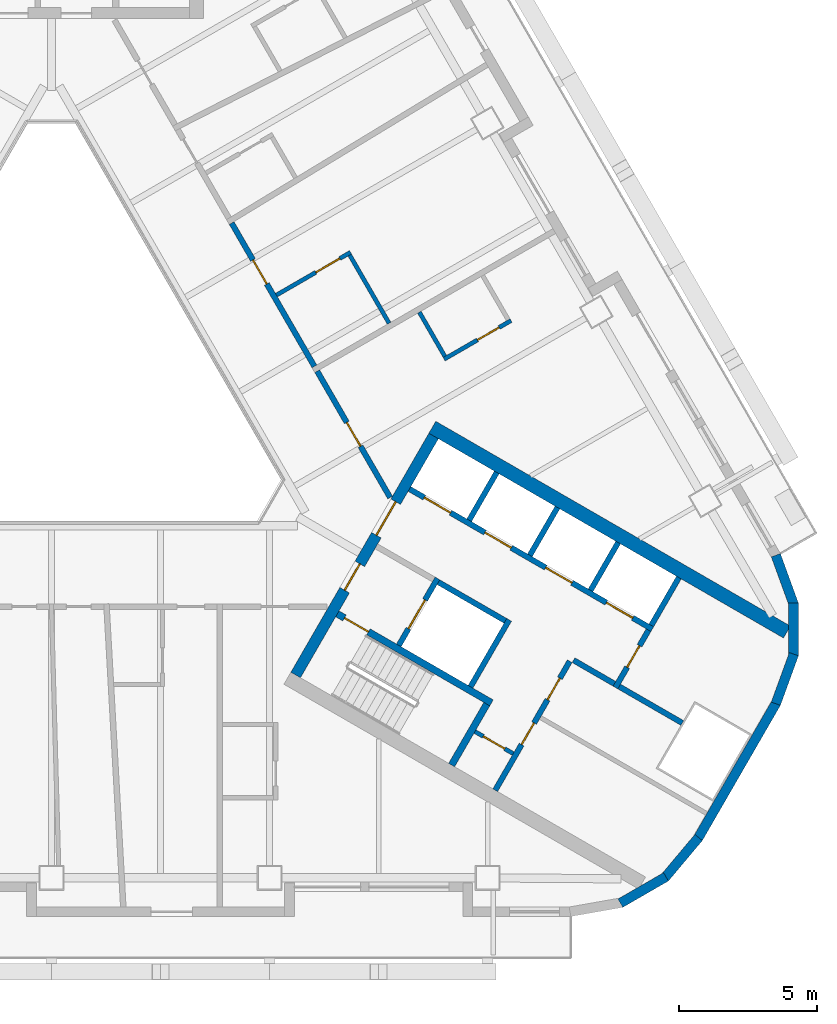
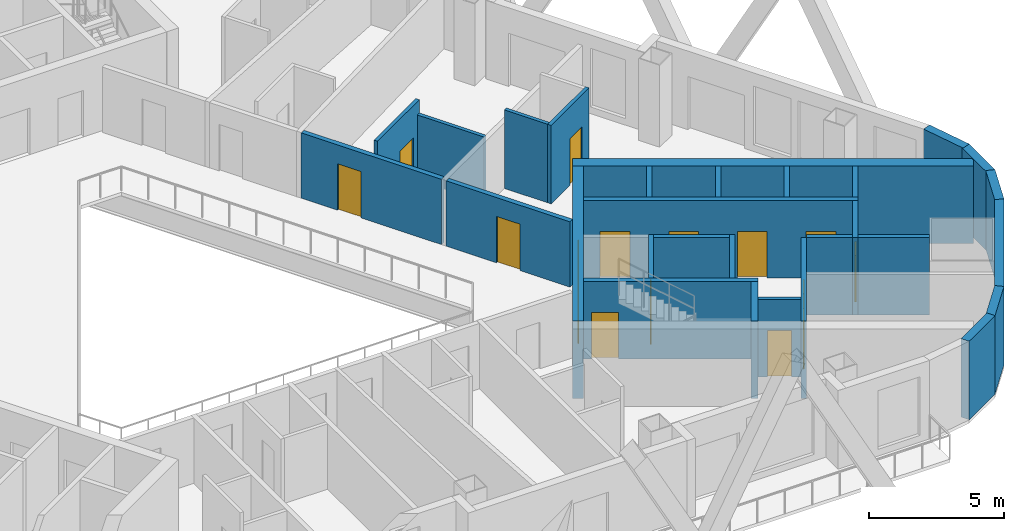
# One storey, part 5 of 14: 29 walls, 16 doors, 16 openings.
"""IFC4 building model written with IfcOpenShell, lengths in metres."""

from ifc_helpers import new_model, si_unit, direction, frame, frame_2d, origin, place, context, subcontext, project, spatial, rectangle, extrude, material, layer, layer_set, type_object, element, fill, save


model = new_model("IFC4")

# Units and contexts
model_context = context("Model", 3, precision=1e-05, world=origin(), true_north=direction((0.0, 1.0)))
body_context = subcontext(model_context, "Body", "Model", "MODEL_VIEW")
ifc_project = project(units=[si_unit("LENGTHUNIT", "METRE"), si_unit("AREAUNIT", "SQUARE_METRE"), si_unit("VOLUMEUNIT", "CUBIC_METRE"), si_unit("PLANEANGLEUNIT", "RADIAN"), si_unit("MASSUNIT", "GRAM", prefix="KILO")], contexts=[model_context])

# Site, building, storey
site_placement = place(None, origin())
site = spatial("IfcSite", under=ifc_project, at=site_placement, CompositionType="ELEMENT")
building_placement = place(site_placement, origin())
building = spatial("IfcBuilding", under=site, at=building_placement, Name="Apuvela Tower Hotel", CompositionType="ELEMENT")
storey_placement = place(building_placement, frame((0.0, 0.0, 90.89990234375)))
storey = spatial("IfcBuildingStorey", under=building, at=storey_placement, Name="L20", CompositionType="ELEMENT", Elevation=90.89990234375)

# Wall, openings, doors
ifc_material_1 = material(Name="Concrete C50/60", Category="concrete")
ifc_layer_1 = layer(ifc_material_1, 0.39990234375)
ifc_layer_set_1 = layer_set([ifc_layer_1], Name="COR-WALL-CORE-400")
wall_type_1 = type_object("IfcWallType", Name="COR-WALL-CORE-400", PredefinedType="SHEAR", material=ifc_layer_set_1)
wall_1_placement = place(storey_placement, frame((8.844970703125, -10.880126953125, 0.0), z_axis=(0.0, 0.0, 1.0), x_axis=(0.500004234368, 0.866022959057, 0.0)))
wall_1 = element("IfcWall", 1, at=wall_1_placement, inside=storey, type_object=wall_type_1, Name="Core wall SE", PredefinedType="SHEAR", context=body_context, shape_type="SweptSolid", body=[
    extrude(rectangle(XDim=10.0, YDim=0.39990234375, at=frame_2d((5.0, 0.0))), origin(), (0.0, 0.0, 1.0), 3.5),
])
opening_1_placement = place(wall_1_placement, frame((3.550048828125, 0.0, 0.0)))
opening_1 = element("IfcOpeningElement", 2, at=opening_1_placement, cuts=wall_1, Name="Opening E-FD", PredefinedType="OPENING", context=body_context, shape_type="SweptSolid", body=[
    extrude(rectangle(XDim=1.10009765625, YDim=2.10009765625, at=frame_2d((0.550048828125, 1.050048828125))), frame((0.0, 0.2099609375, 0.0), z_axis=(0.0, -1.0, 0.0), x_axis=(1.0, 0.0, 0.0)), (0.0, 0.0, 1.0), 0.419921875),
])
opening_2_placement = place(wall_1_placement, frame((5.85009765625, 0.0, 0.0)))
opening_2 = element("IfcOpeningElement", 3, at=opening_2_placement, cuts=wall_1, Name="Opening E-GD", PredefinedType="OPENING", context=body_context, shape_type="SweptSolid", body=[
    extrude(rectangle(XDim=1.39990234375, YDim=2.10009765625, at=frame_2d((0.699951171875, 1.050048828125))), frame((0.0, 0.2099609375, 0.0), z_axis=(0.0, -1.0, 0.0), x_axis=(1.0, 0.0, 0.0)), (0.0, 0.0, 1.0), 0.419921875),
])
ifc_material_2 = material(Name="Steel fire door, powder coated", Category="steel")
door_type_1 = type_object("IfcDoorType", Name="COR-FD-1100", OperationType="NOTDEFINED", PredefinedType="DOOR", material=ifc_material_2)
door_1_placement = place(opening_1_placement, frame((1.10009765625, 0.0, 0.0), z_axis=(0.0, 0.0, 1.0), x_axis=(-1.0, 0.0, 0.0)))
door_1 = element("IfcDoor", 4, at=door_1_placement, inside=storey, type_object=door_type_1, Name="Firefighting lobby door E-FD", OperationType="SINGLE_SWING_LEFT", OverallHeight=2.10009765625, OverallWidth=1.10009765625, PredefinedType="DOOR", context=body_context, shape_type="SweptSolid", body=[
    extrude(rectangle(XDim=1.10009765625, YDim=2.10009765625, at=frame_2d((0.550048828125, 1.050048828125))), frame((0.0, 0.02490234375, 0.0), z_axis=(0.0, -1.0, 0.0), x_axis=(1.0, 0.0, 0.0)), (0.0, 0.0, 1.0), 0.050048828125),
])
fill(opening_1, door_1)
ifc_material_3 = material(Name="Glazed steel fire door", Category="steel")
door_type_2 = type_object("IfcDoorType", Name="COR-GD-1400", OperationType="DOUBLE_DOOR_SINGLE_SWING", PredefinedType="DOOR", material=ifc_material_3)
door_2_placement = place(opening_2_placement, frame((1.39990234375, 0.0, 0.0), z_axis=(0.0, 0.0, 1.0), x_axis=(-1.0, 0.0, 0.0)))
door_2 = element("IfcDoor", 5, at=door_2_placement, inside=storey, type_object=door_type_2, Name="Lift lobby door E-GD", OperationType="DOUBLE_DOOR_SINGLE_SWING", OverallHeight=2.10009765625, OverallWidth=1.39990234375, PredefinedType="DOOR", context=body_context, shape_type="SweptSolid", body=[
    extrude(rectangle(XDim=1.39990234375, YDim=2.10009765625, at=frame_2d((0.699951171875, 1.050048828125))), frame((0.0, 0.02490234375, 0.0), z_axis=(0.0, -1.0, 0.0), x_axis=(1.0, 0.0, 0.0)), (0.0, 0.0, 1.0), 0.050048828125),
])
fill(opening_2, door_2)

# Wall
ifc_layer_2 = layer(ifc_material_1, 0.5)
ifc_layer_set_2 = layer_set([ifc_layer_2], Name="COR-WALL-CORE-500")
wall_type_2 = type_object("IfcWallType", Name="COR-WALL-CORE-500", PredefinedType="SHEAR", material=ifc_layer_set_2)
wall_2_placement = place(storey_placement, frame((13.796630859375, -1.9033203125, 0.0), z_axis=(0.0, 0.0, 1.0), x_axis=(0.866025009528, -0.500000682871, 0.0)))
element("IfcWall", 6, at=wall_2_placement, inside=storey, type_object=wall_type_2, Name="Core wall SE", PredefinedType="SHEAR", context=body_context, shape_type="SweptSolid", body=[
    extrude(rectangle(XDim=14.8369140625, YDim=0.5, at=frame_2d((7.41845703125, 0.0))), origin(), (0.0, 0.0, 1.0), 3.5),
])

# Wall, opening, door
ifc_material_4 = material(Name="Blockwork 150 mm plastered", Category="masonry")
ifc_layer_3 = layer(ifc_material_4, 0.14990234375)
ifc_layer_set_3 = layer_set([ifc_layer_3], Name="COR-WALL-PART-150")
wall_type_3 = type_object("IfcWallType", Name="COR-WALL-PART-150", PredefinedType="PARTITIONING", material=ifc_layer_set_3)
wall_3_placement = place(storey_placement, frame((15.341552734375, -12.927734375, 0.0), z_axis=(0.0, 0.0, 1.0), x_axis=(0.865989903783, -0.500061482766, 0.0)))
wall_3 = element("IfcWall", 7, at=wall_3_placement, inside=storey, type_object=wall_type_3, Name="Partition SE", PredefinedType="PARTITIONING", context=body_context, shape_type="SweptSolid", body=[
    extrude(rectangle(XDim=1.599853515625, YDim=0.14990234375, at=frame_2d((0.7998046875, 0.0))), origin(), (0.0, 0.0, 1.0), 3.5),
])
opening_3_placement = place(wall_3_placement, frame((0.35009765625, 0.0, 0.0)))
opening_3 = element("IfcOpeningElement", 8, at=opening_3_placement, cuts=wall_3, Name="Opening E-RD", PredefinedType="OPENING", context=body_context, shape_type="SweptSolid", body=[
    extrude(rectangle(XDim=0.89990234375, YDim=2.10009765625, at=frame_2d((0.449951171875, 1.050048828125))), frame((0.0, 0.0849609375, 0.0), z_axis=(0.0, -1.0, 0.0), x_axis=(1.0, 0.0, 0.0)), (0.0, 0.0, 1.0), 0.169921875),
])
ifc_material_5 = material(Name="Steel access door, powder coated", Category="steel")
door_type_3 = type_object("IfcDoorType", Name="COR-RD-900", OperationType="NOTDEFINED", PredefinedType="DOOR", material=ifc_material_5)
door_3_placement = place(opening_3_placement, frame((0.89990234375, 0.0, 0.0), z_axis=(0.0, 0.0, 1.0), x_axis=(-1.0, 0.0, 0.0)))
door_3 = element("IfcDoor", 9, at=door_3_placement, inside=storey, type_object=door_type_3, Name="Riser door E-RD", OperationType="SINGLE_SWING_LEFT", OverallHeight=2.10009765625, OverallWidth=0.89990234375, PredefinedType="DOOR", context=body_context, shape_type="SweptSolid", body=[
    extrude(rectangle(XDim=0.89990234375, YDim=2.10009765625, at=frame_2d((0.449951171875, 1.050048828125))), frame((0.0, 0.02490234375, 0.0), z_axis=(0.0, -1.0, 0.0), x_axis=(1.0, 0.0, 0.0)), (0.0, 0.0, 1.0), 0.050048828125),
])
fill(opening_3, door_3)

# Wall, openings, doors
ifc_material_6 = material(Name="Blockwork 200 mm plastered", Category="masonry")
ifc_layer_4 = layer(ifc_material_6, 0.199951171875)
ifc_layer_set_4 = layer_set([ifc_layer_4], Name="COR-WALL-PART-200")
wall_type_4 = type_object("IfcWallType", Name="COR-WALL-PART-200", PredefinedType="PARTITIONING", material=ifc_layer_set_4)
wall_4_placement = place(storey_placement, frame((16.076171875, -15.05517578125, 0.0), z_axis=(0.0, 0.0, 1.0), x_axis=(0.499995103361, 0.866028230842, 0.0)))
wall_4 = element("IfcWall", 10, at=wall_4_placement, inside=storey, type_object=wall_type_4, Name="Partition SE", PredefinedType="PARTITIONING", context=body_context, shape_type="SweptSolid", body=[
    extrude(rectangle(XDim=5.39990234375, YDim=0.199951171875, at=frame_2d((2.699951171875, 0.0))), origin(), (0.0, 0.0, 1.0), 3.5),
])
opening_4_placement = place(wall_4_placement, frame((1.91259765625, 0.0, 0.0)))
opening_4 = element("IfcOpeningElement", 11, at=opening_4_placement, cuts=wall_4, Name="Opening E-RS1", PredefinedType="OPENING", context=body_context, shape_type="SweptSolid", body=[
    extrude(rectangle(XDim=0.89990234375, YDim=2.10009765625, at=frame_2d((0.449951171875, 1.050048828125))), frame((0.0, 0.10986328125, 0.0), z_axis=(0.0, -1.0, 0.0), x_axis=(1.0, 0.0, 0.0)), (0.0, 0.0, 1.0), 0.219970703125),
])
opening_5_placement = place(wall_4_placement, frame((3.78759765625, 0.0, 0.0)))
opening_5 = element("IfcOpeningElement", 12, at=opening_5_placement, cuts=wall_4, Name="Opening E-RS2", PredefinedType="OPENING", context=body_context, shape_type="SweptSolid", body=[
    extrude(rectangle(XDim=0.89990234375, YDim=2.10009765625, at=frame_2d((0.449951171875, 1.050048828125))), frame((0.0, 0.10986328125, 0.0), z_axis=(0.0, -1.0, 0.0), x_axis=(1.0, 0.0, 0.0)), (0.0, 0.0, 1.0), 0.219970703125),
])
door_type_4 = type_object("IfcDoorType", Name="COR-DR-900", OperationType="NOTDEFINED", PredefinedType="DOOR", material=ifc_material_2)
door_4_placement = place(opening_4_placement, frame((0.89990234375, 0.0, 0.0), z_axis=(0.0, 0.0, 1.0), x_axis=(-1.0, 0.0, 0.0)))
door_4 = element("IfcDoor", 13, at=door_4_placement, inside=storey, type_object=door_type_4, Name="Store door E-RS1", OperationType="SINGLE_SWING_LEFT", OverallHeight=2.10009765625, OverallWidth=0.89990234375, PredefinedType="DOOR", context=body_context, shape_type="SweptSolid", body=[
    extrude(rectangle(XDim=0.89990234375, YDim=2.10009765625, at=frame_2d((0.449951171875, 1.050048828125))), frame((0.0, 0.02490234375, 0.0), z_axis=(0.0, -1.0, 0.0), x_axis=(1.0, 0.0, 0.0)), (0.0, 0.0, 1.0), 0.050048828125),
])
fill(opening_4, door_4)
door_5_placement = place(opening_5_placement, frame((0.89990234375, 0.0, 0.0), z_axis=(0.0, 0.0, 1.0), x_axis=(-1.0, 0.0, 0.0)))
door_5 = element("IfcDoor", 14, at=door_5_placement, inside=storey, type_object=door_type_4, Name="Store door E-RS2", OperationType="SINGLE_SWING_LEFT", OverallHeight=2.10009765625, OverallWidth=0.89990234375, PredefinedType="DOOR", context=body_context, shape_type="SweptSolid", body=[
    extrude(rectangle(XDim=0.89990234375, YDim=2.10009765625, at=frame_2d((0.449951171875, 1.050048828125))), frame((0.0, 0.02490234375, 0.0), z_axis=(0.0, -1.0, 0.0), x_axis=(1.0, 0.0, 0.0)), (0.0, 0.0, 1.0), 0.050048828125),
])
fill(opening_5, door_5)

# Wall
ifc_layer_5 = layer(ifc_material_1, 0.199951171875)
ifc_layer_set_5 = layer_set([ifc_layer_5], Name="COR-WALL-SHAFT-200")
wall_type_5 = type_object("IfcWallType", Name="COR-WALL-SHAFT-200", PredefinedType="SHEAR", material=ifc_layer_set_5)
wall_5_placement = place(storey_placement, frame((15.181396484375, -11.305419921875, 0.0), z_axis=(0.0, 0.0, 1.0), x_axis=(0.49994636267, 0.866056369097, 0.0)))
element("IfcWall", 15, at=wall_5_placement, inside=storey, type_object=wall_type_5, Name="Shaft wall SE", PredefinedType="SHEAR", context=body_context, shape_type="SweptSolid", body=[
    extrude(rectangle(XDim=2.800048828125, YDim=0.199951171875, at=frame_2d((1.39990234375, 0.0))), origin(), (0.0, 0.0, 1.0), 3.5),
])

# Wall, opening, door
wall_6_placement = place(storey_placement, frame((12.583251953125, -9.805419921875, 0.0), z_axis=(0.0, 0.0, 1.0), x_axis=(0.49994636267, 0.866056369097, 0.0)))
wall_6 = element("IfcWall", 16, at=wall_6_placement, inside=storey, type_object=wall_type_5, Name="Shaft wall SE", PredefinedType="SHEAR", context=body_context, shape_type="SweptSolid", body=[
    extrude(rectangle(XDim=2.800048828125, YDim=0.199951171875, at=frame_2d((1.39990234375, 0.0))), origin(), (0.0, 0.0, 1.0), 3.5),
])
opening_6_placement = place(wall_6_placement, frame((0.699951171875, 0.0, 0.0)))
opening_6 = element("IfcOpeningElement", 17, at=opening_6_placement, cuts=wall_6, Name="Opening E-LD-FS3", PredefinedType="OPENING", context=body_context, shape_type="SweptSolid", body=[
    extrude(rectangle(XDim=1.199951171875, YDim=2.10009765625, at=frame_2d((0.60009765625, 1.050048828125))), frame((0.0, 0.10986328125, 0.0), z_axis=(0.0, -1.0, 0.0), x_axis=(1.0, 0.0, 0.0)), (0.0, 0.0, 1.0), 0.219970703125),
])
ifc_material_7 = material(Name="Stainless steel lift landing door", Category="steel")
door_type_5 = type_object("IfcDoorType", Name="COR-LD-1200", OperationType="DOUBLE_DOOR_SLIDING", PredefinedType="DOOR", material=ifc_material_7)
door_6_placement = place(opening_6_placement, origin())
door_6 = element("IfcDoor", 18, at=door_6_placement, inside=storey, type_object=door_type_5, Name="Lift landing door E-LD-FS3", OperationType="DOUBLE_DOOR_SLIDING", OverallHeight=2.10009765625, OverallWidth=1.199951171875, PredefinedType="DOOR", context=body_context, shape_type="SweptSolid", body=[
    extrude(rectangle(XDim=1.199951171875, YDim=2.10009765625, at=frame_2d((0.60009765625, 1.050048828125))), frame((0.0, 0.02490234375, 0.0), z_axis=(0.0, -1.0, 0.0), x_axis=(1.0, 0.0, 0.0)), (0.0, 0.0, 1.0), 0.050048828125),
])
fill(opening_6, door_6)

# Wall
wall_7_placement = place(storey_placement, frame((14.019775390625, -7.51708984375, 0.0), z_axis=(0.0, 0.0, 1.0), x_axis=(0.866034573852, -0.49998411664, 0.0)))
element("IfcWall", 19, at=wall_7_placement, inside=storey, type_object=wall_type_5, Name="Shaft wall SE", PredefinedType="SHEAR", context=body_context, shape_type="SweptSolid", body=[
    extrude(rectangle(XDim=2.7998046875, YDim=0.199951171875, at=frame_2d((1.39990234375, 0.0))), origin(), (0.0, 0.0, 1.0), 3.5),
])

# Wall, openings, doors
wall_8_placement = place(storey_placement, frame((12.968017578125, -4.138427734375, 0.0), z_axis=(0.0, 0.0, 1.0), x_axis=(0.866028328073, -0.49999493495, 0.0)))
wall_8 = element("IfcWall", 20, at=wall_8_placement, inside=storey, type_object=wall_type_5, Name="Shaft wall SE", PredefinedType="SHEAR", context=body_context, shape_type="SweptSolid", body=[
    extrude(rectangle(XDim=10.16015625, YDim=0.199951171875, at=frame_2d((5.080078125, 0.0))), origin(), (0.0, 0.0, 1.0), 3.5),
])
opening_7_placement = place(wall_8_placement, frame((0.6201171875, 0.0, 0.0)))
opening_7 = element("IfcOpeningElement", 21, at=opening_7_placement, cuts=wall_8, Name="Opening E-LD-LR1", PredefinedType="OPENING", context=body_context, shape_type="SweptSolid", body=[
    extrude(rectangle(XDim=1.10009765625, YDim=2.10009765625, at=frame_2d((0.550048828125, 1.050048828125))), frame((0.0, 0.10986328125, 0.0), z_axis=(0.0, -1.0, 0.0), x_axis=(1.0, 0.0, 0.0)), (0.0, 0.0, 1.0), 0.219970703125),
])
opening_8_placement = place(wall_8_placement, frame((3.159912109375, 0.0, 0.0)))
opening_8 = element("IfcOpeningElement", 22, at=opening_8_placement, cuts=wall_8, Name="Opening E-LD-LR2", PredefinedType="OPENING", context=body_context, shape_type="SweptSolid", body=[
    extrude(rectangle(XDim=1.10009765625, YDim=2.10009765625, at=frame_2d((0.550048828125, 1.050048828125))), frame((0.0, 0.10986328125, 0.0), z_axis=(0.0, -1.0, 0.0), x_axis=(1.0, 0.0, 0.0)), (0.0, 0.0, 1.0), 0.219970703125),
])
opening_9_placement = place(wall_8_placement, frame((5.699951171875, 0.0, 0.0)))
opening_9 = element("IfcOpeningElement", 23, at=opening_9_placement, cuts=wall_8, Name="Opening E-LD-LR3", PredefinedType="OPENING", context=body_context, shape_type="SweptSolid", body=[
    extrude(rectangle(XDim=1.10009765625, YDim=2.10009765625, at=frame_2d((0.550048828125, 1.050048828125))), frame((0.0, 0.10986328125, 0.0), z_axis=(0.0, -1.0, 0.0), x_axis=(1.0, 0.0, 0.0)), (0.0, 0.0, 1.0), 0.219970703125),
])
opening_10_placement = place(wall_8_placement, frame((8.239990234375, 0.0, 0.0)))
opening_10 = element("IfcOpeningElement", 24, at=opening_10_placement, cuts=wall_8, Name="Opening E-LD-LR4", PredefinedType="OPENING", context=body_context, shape_type="SweptSolid", body=[
    extrude(rectangle(XDim=1.10009765625, YDim=2.10009765625, at=frame_2d((0.550048828125, 1.050048828125))), frame((0.0, 0.10986328125, 0.0), z_axis=(0.0, -1.0, 0.0), x_axis=(1.0, 0.0, 0.0)), (0.0, 0.0, 1.0), 0.219970703125),
])
door_type_6 = type_object("IfcDoorType", Name="COR-LD-1100", OperationType="DOUBLE_DOOR_SLIDING", PredefinedType="DOOR", material=ifc_material_7)
door_7_placement = place(opening_7_placement, origin())
door_7 = element("IfcDoor", 25, at=door_7_placement, inside=storey, type_object=door_type_6, Name="Lift landing door E-LD-LR1", OperationType="DOUBLE_DOOR_SLIDING", OverallHeight=2.10009765625, OverallWidth=1.10009765625, PredefinedType="DOOR", context=body_context, shape_type="SweptSolid", body=[
    extrude(rectangle(XDim=1.10009765625, YDim=2.10009765625, at=frame_2d((0.550048828125, 1.050048828125))), frame((0.0, 0.02490234375, 0.0), z_axis=(0.0, -1.0, 0.0), x_axis=(1.0, 0.0, 0.0)), (0.0, 0.0, 1.0), 0.050048828125),
])
fill(opening_7, door_7)
door_8_placement = place(opening_8_placement, origin())
door_8 = element("IfcDoor", 26, at=door_8_placement, inside=storey, type_object=door_type_6, Name="Lift landing door E-LD-LR2", OperationType="DOUBLE_DOOR_SLIDING", OverallHeight=2.10009765625, OverallWidth=1.10009765625, PredefinedType="DOOR", context=body_context, shape_type="SweptSolid", body=[
    extrude(rectangle(XDim=1.10009765625, YDim=2.10009765625, at=frame_2d((0.550048828125, 1.050048828125))), frame((0.0, 0.02490234375, 0.0), z_axis=(0.0, -1.0, 0.0), x_axis=(1.0, 0.0, 0.0)), (0.0, 0.0, 1.0), 0.050048828125),
])
fill(opening_8, door_8)
door_9_placement = place(opening_9_placement, origin())
door_9 = element("IfcDoor", 27, at=door_9_placement, inside=storey, type_object=door_type_6, Name="Lift landing door E-LD-LR3", OperationType="DOUBLE_DOOR_SLIDING", OverallHeight=2.10009765625, OverallWidth=1.10009765625, PredefinedType="DOOR", context=body_context, shape_type="SweptSolid", body=[
    extrude(rectangle(XDim=1.10009765625, YDim=2.10009765625, at=frame_2d((0.550048828125, 1.050048828125))), frame((0.0, 0.02490234375, 0.0), z_axis=(0.0, -1.0, 0.0), x_axis=(1.0, 0.0, 0.0)), (0.0, 0.0, 1.0), 0.050048828125),
])
fill(opening_9, door_9)
door_10_placement = place(opening_10_placement, origin())
door_10 = element("IfcDoor", 28, at=door_10_placement, inside=storey, type_object=door_type_6, Name="Lift landing door E-LD-LR4", OperationType="DOUBLE_DOOR_SLIDING", OverallHeight=2.10009765625, OverallWidth=1.10009765625, PredefinedType="DOOR", context=body_context, shape_type="SweptSolid", body=[
    extrude(rectangle(XDim=1.10009765625, YDim=2.10009765625, at=frame_2d((0.550048828125, 1.050048828125))), frame((0.0, 0.02490234375, 0.0), z_axis=(0.0, -1.0, 0.0), x_axis=(1.0, 0.0, 0.0)), (0.0, 0.0, 1.0), 0.050048828125),
])
fill(opening_10, door_10)

# Wall, opening, door
wall_9_placement = place(storey_placement, frame((20.430419921875, -11.33349609375, 0.0), z_axis=(0.0, 0.0, 1.0), x_axis=(0.500001309137, 0.866024647952, 0.0)))
wall_9 = element("IfcWall", 29, at=wall_9_placement, inside=storey, type_object=wall_type_5, Name="Shaft wall SE", PredefinedType="SHEAR", context=body_context, shape_type="SweptSolid", body=[
    extrude(rectangle(XDim=2.39990234375, YDim=0.199951171875, at=frame_2d((1.199951171875, 0.0))), origin(), (0.0, 0.0, 1.0), 3.5),
])
opening_11_placement = place(wall_9_placement, frame((0.85009765625, 0.0, 0.0)))
opening_11 = element("IfcOpeningElement", 30, at=opening_11_placement, cuts=wall_9, Name="Opening E-REP", PredefinedType="OPENING", context=body_context, shape_type="SweptSolid", body=[
    extrude(rectangle(XDim=0.89990234375, YDim=2.10009765625, at=frame_2d((0.449951171875, 1.050048828125))), frame((0.0, 0.10986328125, 0.0), z_axis=(0.0, -1.0, 0.0), x_axis=(1.0, 0.0, 0.0)), (0.0, 0.0, 1.0), 0.219970703125),
])
door_11_placement = place(opening_11_placement, frame((0.89990234375, 0.0, 0.0), z_axis=(0.0, 0.0, 1.0), x_axis=(-1.0, 0.0, 0.0)))
door_11 = element("IfcDoor", 31, at=door_11_placement, inside=storey, type_object=door_type_4, Name="Store door E-REP", OperationType="SINGLE_SWING_RIGHT", OverallHeight=2.10009765625, OverallWidth=0.89990234375, PredefinedType="DOOR", context=body_context, shape_type="SweptSolid", body=[
    extrude(rectangle(XDim=0.89990234375, YDim=2.10009765625, at=frame_2d((0.449951171875, 1.050048828125))), frame((0.0, 0.02490234375, 0.0), z_axis=(0.0, -1.0, 0.0), x_axis=(1.0, 0.0, 0.0)), (0.0, 0.0, 1.0), 0.050048828125),
])
fill(opening_11, door_11)

# Walls
wall_10_placement = place(storey_placement, frame((18.912841796875, -10.342041015625, 0.0), z_axis=(0.0, 0.0, 1.0), x_axis=(0.866038183914, -0.499977863513, 0.0)))
element("IfcWall", 32, at=wall_10_placement, inside=storey, type_object=wall_type_5, Name="Shaft wall SE", PredefinedType="SHEAR", context=body_context, shape_type="SweptSolid", body=[
    extrude(rectangle(XDim=1.7099609375, YDim=0.199951171875, at=frame_2d((0.85498046875, 0.0))), origin(), (0.0, 0.0, 1.0), 3.5),
])
for number, where, z_axis, x_axis, name in (
    (33, (15.131103515625, -5.27197265625, 0.0), (0.0, 0.0, 1.0), (0.499972520799, 0.866041268327, 0.0), "Shaft wall SE"),
    (34, (17.330810546875, -6.5419921875, 0.0), (0.0, 0.0, 1.0), (0.499972520799, 0.866041268327, 0.0), "Shaft wall SE"),
    (35, (19.530517578125, -7.81201171875, 0.0), (0.0, 0.0, 1.0), (0.499972520799, 0.866041268327, 0.0), "Shaft wall SE"),
    (36, (21.73046875, -9.081787109375, 0.0), (0.0, 0.0, 1.0), (0.50002537861, 0.866010750942, 0.0), "Shaft wall SE"),
):
    element("IfcWall", number, at=place(storey_placement, frame(where, z_axis=z_axis, x_axis=x_axis)), inside=storey, type_object=wall_type_5, Name=name, PredefinedType="SHEAR", context=body_context, shape_type="SweptSolid", body=[
        extrude(rectangle(XDim=2.0, YDim=0.199951171875, at=frame_2d((1.0, 0.0))), origin(), (0.0, 0.0, 1.0), 3.5),
    ])
wall_11_placement = place(storey_placement, frame((20.56689453125, -11.297119140625, 0.0), z_axis=(0.0, 0.0, 1.0), x_axis=(0.866060851709, -0.499938597367, 0.0)))
element("IfcWall", 37, at=wall_11_placement, inside=storey, type_object=wall_type_5, Name="Shaft wall SE", PredefinedType="SHEAR", context=body_context, shape_type="SweptSolid", body=[
    extrude(rectangle(XDim=2.639892578125, YDim=0.199951171875, at=frame_2d((1.31982421875, 0.0))), origin(), (0.0, 0.0, 1.0), 3.5),
])

# Wall, opening, door
ifc_layer_6 = layer(ifc_material_1, 0.25)
ifc_layer_set_6 = layer_set([ifc_layer_6], Name="COR-WALL-STAIR-250")
wall_type_6 = type_object("IfcWallType", Name="COR-WALL-STAIR-250", PredefinedType="SHEAR", material=ifc_layer_set_6)
wall_12_placement = place(storey_placement, frame((10.355712890625, -8.66357421875, 0.0), z_axis=(0.0, 0.0, 1.0), x_axis=(0.866028629588, -0.499994412703, 0.0)))
wall_12 = element("IfcWall", 38, at=wall_12_placement, inside=storey, type_object=wall_type_6, Name="Stair wall SE", PredefinedType="SHEAR", context=body_context, shape_type="SweptSolid", body=[
    extrude(rectangle(XDim=6.44970703125, YDim=0.25, at=frame_2d((3.224853515625, 0.0))), origin(), (0.0, 0.0, 1.0), 3.5),
])
opening_12_placement = place(wall_12_placement, frame((0.300048828125, 0.0, 0.0)))
opening_12 = element("IfcOpeningElement", 39, at=opening_12_placement, cuts=wall_12, Name="Opening E-SD", PredefinedType="OPENING", context=body_context, shape_type="SweptSolid", body=[
    extrude(rectangle(XDim=1.0, YDim=2.10009765625, at=frame_2d((0.5, 1.050048828125))), frame((0.0, 0.135009765625, 0.0), z_axis=(0.0, -1.0, 0.0), x_axis=(1.0, 0.0, 0.0)), (0.0, 0.0, 1.0), 0.27001953125),
])
door_type_7 = type_object("IfcDoorType", Name="COR-SD-1000", OperationType="NOTDEFINED", PredefinedType="DOOR", material=ifc_material_2)
door_12_placement = place(opening_12_placement, frame((1.0, 0.0, 0.0), z_axis=(0.0, 0.0, 1.0), x_axis=(-1.0, 0.0, 0.0)))
door_12 = element("IfcDoor", 40, at=door_12_placement, inside=storey, type_object=door_type_7, Name="Stair door E-SD", OperationType="SINGLE_SWING_LEFT", OverallHeight=2.10009765625, OverallWidth=1.0, PredefinedType="DOOR", context=body_context, shape_type="SweptSolid", body=[
    extrude(rectangle(XDim=1.0, YDim=2.10009765625, at=frame_2d((0.5, 1.050048828125))), frame((0.0, 0.02490234375, 0.0), z_axis=(0.0, -1.0, 0.0), x_axis=(1.0, 0.0, 0.0)), (0.0, 0.0, 1.0), 0.050048828125),
])
fill(opening_12, door_12)

# Walls
wall_13_placement = place(storey_placement, frame((14.49560546875, -14.142578125, 0.0), z_axis=(0.0, 0.0, 1.0), x_axis=(0.500062241894, 0.865989465428, 0.0)))
element("IfcWall", 41, at=wall_13_placement, inside=storey, type_object=wall_type_6, Name="Stair wall SE", PredefinedType="SHEAR", context=body_context, shape_type="SweptSolid", body=[
    extrude(rectangle(XDim=2.550048828125, YDim=0.25, at=frame_2d((1.27490234375, 0.0))), origin(), (0.0, 0.0, 1.0), 3.5),
])
ifc_material_8 = material(Name="Concrete C40/50, dark pigmented precast panel", Category="concrete")
ifc_layer_7 = layer(ifc_material_8, 0.35009765625)
ifc_layer_set_7 = layer_set([ifc_layer_7], Name="ENV-WALL-350")
wall_type_7 = type_object("IfcWallType", Name="ENV-WALL-350", PredefinedType="SOLIDWALL", material=ifc_layer_set_7)
for number, where, z_axis, x_axis, name in (
    (42, (20.609619140625, -19.146728515625, 0.0), (0.0, 0.0, 1.0), (0.866000389056, 0.500043324278, 0.0), "External wall L20-27"),
    (43, (22.21728515625, -18.230712890625, 0.0), (0.0, 0.0, 1.0), (0.642733291068, 0.76609001857, 0.0), "External wall L20-28"),
):
    element("IfcWall", number, at=place(storey_placement, frame(where, z_axis=z_axis, x_axis=x_axis)), inside=storey, type_object=wall_type_7, Name=name, PredefinedType="SOLIDWALL", context=body_context, shape_type="SweptSolid", body=[
        extrude(rectangle(XDim=1.909912109375, YDim=0.35009765625, at=frame_2d((0.955078125, 0.0))), origin(), (0.0, 0.0, 1.0), 3.550048828125),
    ])
wall_14_placement = place(storey_placement, frame((23.427490234375, -16.79248046875, 0.0), z_axis=(0.0, 0.0, 1.0), x_axis=(0.500018773155, 0.866014564827, 0.0)))
element("IfcWall", 44, at=wall_14_placement, inside=storey, type_object=wall_type_7, Name="External wall L20-29", PredefinedType="SOLIDWALL", context=body_context, shape_type="SweptSolid", body=[
    extrude(rectangle(XDim=5.657958984375, YDim=0.35009765625, at=frame_2d((2.8291015625, 0.0))), origin(), (0.0, 0.0, 1.0), 3.550048828125),
])
for number, where, z_axis, x_axis, name in (
    (45, (26.24365234375, -11.920166015625, 0.0), (0.0, 0.0, 1.0), (0.342030395486, 0.939688889242, 0.0), "External wall L20-30"),
    (46, (26.88623046875, -10.18505859375, 0.0), (0.0, 0.0, 1.0), (0.0, 1.0, 0.0), "External wall L20-31"),
    (47, (26.89697265625, -8.334716796875, 0.0), (0.0, 0.0, 1.0), (-0.342030395486, 0.939688889242, 0.0), "External wall L20-32"),
):
    element("IfcWall", number, at=place(storey_placement, frame(where, z_axis=z_axis, x_axis=x_axis)), inside=storey, type_object=wall_type_7, Name=name, PredefinedType="SOLIDWALL", context=body_context, shape_type="SweptSolid", body=[
        extrude(rectangle(XDim=1.91015625, YDim=0.35009765625, at=frame_2d((0.955078125, 0.0))), origin(), (0.0, 0.0, 1.0), 3.550048828125),
    ])

# Wall, opening, door
ifc_material_9 = material(Name="Gypsum board corridor wall on twin steel stud, acoustic", Category="steel")
ifc_layer_8 = layer(ifc_material_9, 0.199951171875)
ifc_layer_set_8 = layer_set([ifc_layer_8], Name="GST-PW2")
wall_type_8 = type_object("IfcWallType", Name="GST-PW2", PredefinedType="PARTITIONING", material=ifc_layer_set_8)
wall_15_placement = place(storey_placement, frame((9.62451171875, 0.129638671875, 0.0), z_axis=(0.0, 0.0, 1.0), x_axis=(0.500036828865, -0.866004139585, 0.0)))
wall_15 = element("IfcWall", 48, at=wall_15_placement, inside=storey, type_object=wall_type_8, Name="L20 partition 28", PredefinedType="PARTITIONING", context=body_context, shape_type="SweptSolid", body=[
    extrude(rectangle(XDim=5.2880859375, YDim=0.199951171875, at=frame_2d((2.64404296875, 0.0))), origin(), (0.0, 0.0, 1.0), 2.9501953125),
])
opening_13_placement = place(wall_15_placement, frame((2.14404296875, 0.0, 0.0)))
opening_13 = element("IfcOpeningElement", 49, at=opening_13_placement, cuts=wall_15, Name="Opening GD06-12", PredefinedType="OPENING", context=body_context, shape_type="SweptSolid", body=[
    extrude(rectangle(XDim=1.0, YDim=2.10009765625, at=frame_2d((0.5, 1.050048828125))), frame((0.0, 0.10986328125, 0.0), z_axis=(0.0, -1.0, 0.0), x_axis=(1.0, 0.0, 0.0)), (0.0, 0.0, 1.0), 0.219970703125),
])
ifc_material_10 = material(Name="Timber door leaf in steel frame", Category="steel")
door_type_8 = type_object("IfcDoorType", Name="GST-D1", OperationType="NOTDEFINED", PredefinedType="DOOR", material=ifc_material_10)
door_13_placement = place(opening_13_placement, origin())
door_13 = element("IfcDoor", 50, at=door_13_placement, inside=storey, type_object=door_type_8, Name="Door L20-12", OperationType="SINGLE_SWING_LEFT", OverallHeight=2.10009765625, OverallWidth=1.0, PredefinedType="DOOR", context=body_context, shape_type="SweptSolid", body=[
    extrude(rectangle(XDim=1.0, YDim=2.10009765625, at=frame_2d((0.5, 1.050048828125))), frame((0.0, 0.02490234375, 0.0), z_axis=(0.0, -1.0, 0.0), x_axis=(1.0, 0.0, 0.0)), (0.0, 0.0, 1.0), 0.050048828125),
])
fill(opening_13, door_13)

wall_16_placement = place(storey_placement, frame((6.525634765625, 5.4970703125, 0.0), z_axis=(0.0, 0.0, 1.0), x_axis=(0.500026652407, -0.866010015463, 0.0)))
wall_16 = element("IfcWall", 51, at=wall_16_placement, inside=storey, type_object=wall_type_8, Name="L20 partition 32", PredefinedType="PARTITIONING", context=body_context, shape_type="SweptSolid", body=[
    extrude(rectangle(XDim=5.997802734375, YDim=0.199951171875, at=frame_2d((2.9990234375, 0.0))), origin(), (0.0, 0.0, 1.0), 2.9501953125),
])
opening_14_placement = place(wall_16_placement, frame((1.5478515625, 0.0, 0.0)))
opening_14 = element("IfcOpeningElement", 52, at=opening_14_placement, cuts=wall_16, Name="Opening GD06-14", PredefinedType="OPENING", context=body_context, shape_type="SweptSolid", body=[
    extrude(rectangle(XDim=1.0, YDim=2.10009765625, at=frame_2d((0.5, 1.050048828125))), frame((0.0, 0.10986328125, 0.0), z_axis=(0.0, -1.0, 0.0), x_axis=(1.0, 0.0, 0.0)), (0.0, 0.0, 1.0), 0.219970703125),
])
door_14_placement = place(opening_14_placement, origin())
door_14 = element("IfcDoor", 53, at=door_14_placement, inside=storey, type_object=door_type_8, Name="Door L20-14", OperationType="SINGLE_SWING_LEFT", OverallHeight=2.10009765625, OverallWidth=1.0, PredefinedType="DOOR", context=body_context, shape_type="SweptSolid", body=[
    extrude(rectangle(XDim=1.0, YDim=2.10009765625, at=frame_2d((0.5, 1.050048828125))), frame((0.0, 0.02490234375, 0.0), z_axis=(0.0, -1.0, 0.0), x_axis=(1.0, 0.0, 0.0)), (0.0, 0.0, 1.0), 0.050048828125),
])
fill(opening_14, door_14)

ifc_material_11 = material(Name="Moisture-resistant gypsum board wet wall on steel stud", Category="steel")
ifc_layer_9 = layer(ifc_material_11, 0.14990234375)
ifc_layer_set_9 = layer_set([ifc_layer_9], Name="GST-PW3")
wall_type_9 = type_object("IfcWallType", Name="GST-PW3", PredefinedType="PARTITIONING", material=ifc_layer_set_9)
wall_17_placement = place(storey_placement, frame((14.224365234375, 0.5625, 0.0), z_axis=(0.0, 0.0, 1.0), x_axis=(0.866018616679, 0.500011755427, 0.0)))
wall_17 = element("IfcWall", 54, at=wall_17_placement, inside=storey, type_object=wall_type_9, Name="L20 partition 29", PredefinedType="PARTITIONING", context=body_context, shape_type="SweptSolid", body=[
    extrude(rectangle(XDim=2.80029296875, YDim=0.14990234375, at=frame_2d((1.400146484375, 0.0))), origin(), (0.0, 0.0, 1.0), 3.550048828125),
])
opening_15_placement = place(wall_17_placement, frame((1.39990234375, 0.0, 0.0)))
opening_15 = element("IfcOpeningElement", 55, at=opening_15_placement, cuts=wall_17, Name="Opening GD06-11", PredefinedType="OPENING", context=body_context, shape_type="SweptSolid", body=[
    extrude(rectangle(XDim=0.89990234375, YDim=2.10009765625, at=frame_2d((0.449951171875, 1.050048828125))), frame((0.0, 0.0849609375, 0.0), z_axis=(0.0, -1.0, 0.0), x_axis=(1.0, 0.0, 0.0)), (0.0, 0.0, 1.0), 0.169921875),
])
door_type_9 = type_object("IfcDoorType", Name="GST-D2", OperationType="NOTDEFINED", PredefinedType="DOOR", material=ifc_material_10)
door_15_placement = place(opening_15_placement, origin())
door_15 = element("IfcDoor", 56, at=door_15_placement, inside=storey, type_object=door_type_9, Name="Door L20-11", OperationType="SINGLE_SWING_RIGHT", OverallHeight=2.10009765625, OverallWidth=0.89990234375, PredefinedType="DOOR", context=body_context, shape_type="SweptSolid", body=[
    extrude(rectangle(XDim=0.89990234375, YDim=2.10009765625, at=frame_2d((0.449951171875, 1.050048828125))), frame((0.0, 0.02490234375, 0.0), z_axis=(0.0, -1.0, 0.0), x_axis=(1.0, 0.0, 0.0)), (0.0, 0.0, 1.0), 0.050048828125),
])
fill(opening_15, door_15)

# Wall
wall_18_placement = place(storey_placement, frame((14.251953125, 0.6650390625, 0.0), z_axis=(0.0, 0.0, 1.0), x_axis=(-0.500042316284, 0.866000971088, 0.0)))
element("IfcWall", 57, at=wall_18_placement, inside=storey, type_object=wall_type_9, Name="L20 partition 31", PredefinedType="PARTITIONING", context=body_context, shape_type="SweptSolid", body=[
    extrude(rectangle(XDim=1.849853515625, YDim=0.14990234375, at=frame_2d((0.9248046875, 0.0))), origin(), (0.0, 0.0, 1.0), 3.550048828125),
])

# Wall, opening, door
wall_19_placement = place(storey_placement, frame((10.83349609375, 4.43603515625, 0.0), z_axis=(0.0, 0.0, 1.0), x_axis=(-0.86602952684, -0.49999285859, 0.0)))
wall_19 = element("IfcWall", 58, at=wall_19_placement, inside=storey, type_object=wall_type_9, Name="L20 partition 33", PredefinedType="PARTITIONING", context=body_context, shape_type="SweptSolid", body=[
    extrude(rectangle(XDim=3.10009765625, YDim=0.14990234375, at=frame_2d((1.550048828125, 0.0))), origin(), (0.0, 0.0, 1.0), 3.550048828125),
])
opening_16_placement = place(wall_19_placement, frame((0.449951171875, 0.0, 0.0)))
opening_16 = element("IfcOpeningElement", 59, at=opening_16_placement, cuts=wall_19, Name="Opening GD06-13", PredefinedType="OPENING", context=body_context, shape_type="SweptSolid", body=[
    extrude(rectangle(XDim=1.0, YDim=2.10009765625, at=frame_2d((0.5, 1.050048828125))), frame((0.0, 0.0849609375, 0.0), z_axis=(0.0, -1.0, 0.0), x_axis=(1.0, 0.0, 0.0)), (0.0, 0.0, 1.0), 0.169921875),
])
door_16_placement = place(opening_16_placement, origin())
door_16 = element("IfcDoor", 60, at=door_16_placement, inside=storey, type_object=door_type_8, Name="Door L20-13", OperationType="SINGLE_SWING_LEFT", OverallHeight=2.10009765625, OverallWidth=1.0, PredefinedType="DOOR", context=body_context, shape_type="SweptSolid", body=[
    extrude(rectangle(XDim=1.0, YDim=2.10009765625, at=frame_2d((0.5, 1.050048828125))), frame((0.0, 0.02490234375, 0.0), z_axis=(0.0, -1.0, 0.0), x_axis=(1.0, 0.0, 0.0)), (0.0, 0.0, 1.0), 0.050048828125),
])
fill(opening_16, door_16)

# Wall
wall_20_placement = place(storey_placement, frame((12.23095703125, 1.865478515625, 0.0), z_axis=(0.0, 0.0, 1.0), x_axis=(-0.500036373335, 0.866004402611, 0.0)))
element("IfcWall", 61, at=wall_20_placement, inside=storey, type_object=wall_type_9, Name="L20 partition 34", PredefinedType="PARTITIONING", context=body_context, shape_type="SweptSolid", body=[
    extrude(rectangle(XDim=2.849853515625, YDim=0.14990234375, at=frame_2d((1.4248046875, 0.0))), origin(), (0.0, 0.0, 1.0), 2.9501953125),
])

save(model, "model.ifc")
